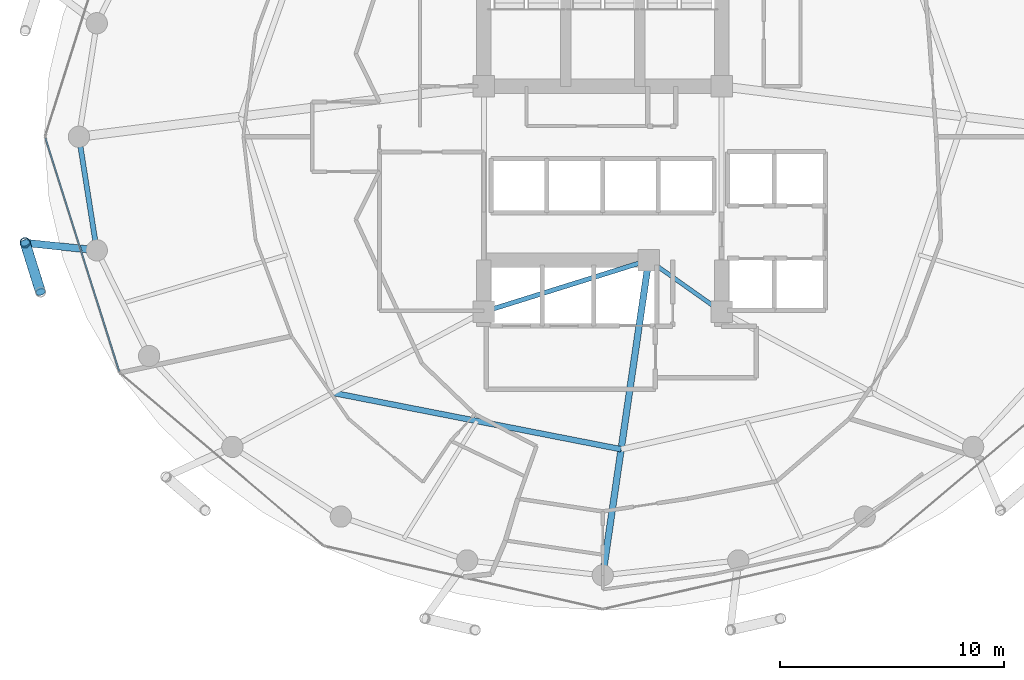
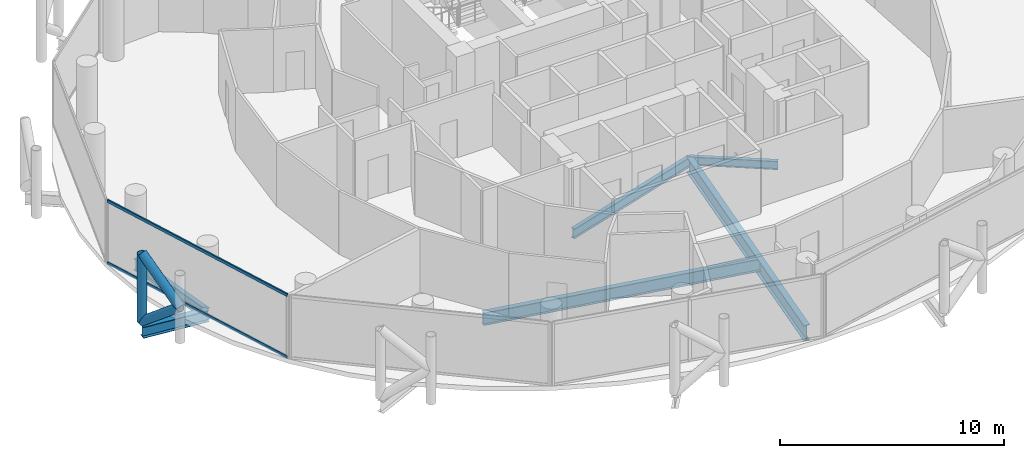
# One storey, part 5 of 26: 6 beams, 5 members, 1 element without a shape of its own.
"""IFC4 building model written with IfcOpenShell, lengths in metres."""

import ifcopenshell
import ifcopenshell.guid

model = None  # the IFC model being written
_history = None  # IfcOwnerHistory: only IFC2X3 demands one
_inside = {}  # id of a spatial element -> (the spatial element, [elements in it])
_under = {}  # id of a project, library or spatial element -> (it, [spatial elements below it])
_declared = {}  # id of a project -> (the project, [libraries it declares])
_typed = {}  # id of a type object -> (the type object, [elements of that type])
_made_of = {}  # id of a material, layer set ... -> (it, [elements and type objects made of it])


def new_model(schema):
    """Start an empty IFC model of exactly this schema.

    Asked for "IFC4X3", IfcOpenShell would pick the latest addendum, in which some entities
    have other attributes; the version numbers below select the first issue.
    IFC2X3 requires an IfcOwnerHistory on every rooted entity: one is made here for all.
    """
    global model, _history
    if schema == "IFC4X3":
        model = ifcopenshell.file(schema_version=(4, 3, 0, 0))
    else:
        model = ifcopenshell.file(schema=schema)
    _inside.clear()
    _under.clear()
    _declared.clear()
    _typed.clear()
    _made_of.clear()
    _history = None
    if model.schema == "IFC2X3":
        org = make("IfcOrganization", Name="unknown")
        user = make(
            "IfcPersonAndOrganization",
            ThePerson=make("IfcPerson", FamilyName="unknown"),
            TheOrganization=org,
        )
        app = make(
            "IfcApplication",
            ApplicationDeveloper=org,
            Version="unknown",
            ApplicationFullName="unknown",
            ApplicationIdentifier="unknown",
        )
        _history = make(
            "IfcOwnerHistory",
            OwningUser=user,
            OwningApplication=app,
            ChangeAction="ADDED",
            CreationDate=0,
        )
    return model


def make(cls, **values):
    """One entity of the class cls with the attributes given. An attribute that is None is left unset."""
    return model.create_entity(
        cls, **{name: value for name, value in values.items() if value is not None}
    )


def rooted(cls, **values):
    """An entity with a GlobalId (a new one), such as an element, a storey or a relation."""
    return make(cls, GlobalId=ifcopenshell.guid.new(), OwnerHistory=_history, **values)


def si_unit(unit_type, name, prefix=None):
    """IfcSIUnit, for example si_unit("LENGTHUNIT", "METRE", prefix="MILLI")."""
    return make("IfcSIUnit", UnitType=unit_type, Prefix=prefix, Name=name)


def assignment(units):
    """IfcUnitAssignment: the units of a project."""
    return None if units is None else make("IfcUnitAssignment", Units=units)


def point(xyz):
    """IfcCartesianPoint."""
    return None if xyz is None else make("IfcCartesianPoint", Coordinates=xyz)


def direction(xyz):
    """IfcDirection."""
    return None if xyz is None else make("IfcDirection", DirectionRatios=xyz)


def frame(location, z_axis=None, x_axis=None):
    """IfcAxis2Placement3D, a coordinate frame: its origin and axes. An axis left out is left unset."""
    return make(
        "IfcAxis2Placement3D",
        Location=point(location),
        Axis=direction(z_axis),
        RefDirection=direction(x_axis),
    )


def frame_2d(location, x_axis=None):
    """IfcAxis2Placement2D, a coordinate frame in the plane: its origin and x axis."""
    return make(
        "IfcAxis2Placement2D", Location=point(location), RefDirection=direction(x_axis)
    )


def origin():
    """The frame at (0, 0, 0) with its axes left unset."""
    return frame((0.0, 0.0, 0.0))


def origin_2d():
    """The frame at (0, 0) in the plane with its x axis left unset."""
    return frame_2d((0.0, 0.0))


def place(relative_to, where):
    """IfcLocalPlacement: puts the frame where relative to a parent placement (None: the world)."""
    return make(
        "IfcLocalPlacement", PlacementRelTo=relative_to, RelativePlacement=where
    )


def context(
    kind, dimensions, precision=None, world=None, true_north=None, identifier=None
):
    """IfcGeometricRepresentationContext, for example the 3D "Model" context."""
    return make(
        "IfcGeometricRepresentationContext",
        ContextIdentifier=identifier,
        ContextType=kind,
        CoordinateSpaceDimension=dimensions,
        Precision=precision,
        WorldCoordinateSystem=world,
        TrueNorth=true_north,
    )


def subcontext(parent, identifier, kind, view, scale=None):
    """IfcGeometricRepresentationSubContext, for example "Body" below "Model"."""
    return make(
        "IfcGeometricRepresentationSubContext",
        ContextIdentifier=identifier,
        ContextType=kind,
        ParentContext=parent,
        TargetScale=scale,
        TargetView=view,
    )


def project(units=None, contexts=None):
    """IfcProject with its units and contexts."""
    return rooted(
        "IfcProject",
        Name="project",
        RepresentationContexts=contexts,
        UnitsInContext=assignment(units),
    )


def spatial(cls, under=None, at=None, **own):
    """A site, building, storey or space (cls), placed at a placement, below another one or the project."""
    s = rooted(cls, ObjectPlacement=at, **own)
    if under is not None:
        _under.setdefault(under.id(), (under, []))[1].append(s)
    return s


def profile(cls, at=None, kind="AREA", **sizes):
    """A parametric profile (cls). Its sizes go by their IFC names, for example OverallWidth=200.0."""
    return make(cls, ProfileType=kind, Position=at, **sizes)


def hollow_rectangle(**sizes):
    """IfcRectangleHollowProfileDef."""
    return profile("IfcRectangleHollowProfileDef", **sizes)


def hollow_circle(**sizes):
    """IfcCircleHollowProfileDef."""
    return profile("IfcCircleHollowProfileDef", **sizes)


def i_section(**sizes):
    """IfcIShapeProfileDef."""
    return profile("IfcIShapeProfileDef", **sizes)


def extrude(swept, where, along, depth):
    """IfcExtrudedAreaSolid: the profile swept, set in the frame where, extruded along a direction by depth."""
    return make(
        "IfcExtrudedAreaSolid",
        SweptArea=swept,
        Position=where,
        ExtrudedDirection=direction(along),
        Depth=depth,
    )


def shape(context_of_items, identifier, shape_type, items):
    """IfcShapeRepresentation: the items that make up one representation, for example the "Body"."""
    return make(
        "IfcShapeRepresentation",
        ContextOfItems=context_of_items,
        RepresentationIdentifier=identifier,
        RepresentationType=shape_type,
        Items=items,
    )


def material(Name=None, Category=None):
    """IfcMaterial."""
    return make("IfcMaterial", Name=Name, Category=Category)


def layer(
    of_material, thickness, ventilated=None, Name=None, Category=None, Priority=None
):
    """IfcMaterialLayer: one layer of a wall or slab, of a material (None: an air gap)."""
    return make(
        "IfcMaterialLayer",
        Material=of_material,
        LayerThickness=thickness,
        IsVentilated=ventilated,
        Name=Name,
        Category=Category,
        Priority=Priority,
    )


def layer_set(layers, Name=None):
    """IfcMaterialLayerSet."""
    return make("IfcMaterialLayerSet", MaterialLayers=layers, LayerSetName=Name)


def material_profile(
    of_material, cross_section, Name=None, Category=None, Priority=None
):
    """IfcMaterialProfile: a cross section and its material."""
    return make(
        "IfcMaterialProfile",
        Name=Name,
        Material=of_material,
        Profile=cross_section,
        Priority=Priority,
        Category=Category,
    )


def profile_set(profiles, Name=None, composite=None):
    """IfcMaterialProfileSet."""
    return make(
        "IfcMaterialProfileSet",
        Name=Name,
        MaterialProfiles=profiles,
        CompositeProfile=composite,
    )


def made_of(thing, what):
    """Note that an element or type object is made of a material, layer set ...; save() writes the relation."""
    if what is not None:
        _made_of.setdefault(what.id(), (what, []))[1].append(thing)
    return thing


def type_object(cls, material=None, **own):
    """A type object (cls), such as IfcWallType, which elements share."""
    return made_of(rooted(cls, **own), material)


def element(
    cls,
    number,
    at=None,
    inside=None,
    cuts=None,
    type_object=None,
    material=None,
    context=None,
    identifier="Body",
    shape_type=None,
    held_by="IfcProductDefinitionShape",
    body=None,
    shapes=None,
    **own,
):
    """One element of the class cls, such as IfcWall. Its Tag is "e" and its number.

    at: its placement. inside: the storey or other place that contains it. cuts: it is an
    opening in that element (IfcRelVoidsElement). A single representation is given by context,
    identifier, shape_type and body (its items); several are given by shapes. held_by: the class
    of the entity that holds the representations. save() writes the other relations.
    """
    e = rooted(cls, Tag="e%d" % number, ObjectPlacement=at, **own)
    if body is not None:
        shapes = [shape(context, identifier, shape_type, body)]
    if shapes is not None:
        e.Representation = make(held_by, Representations=shapes)
    if inside is not None:
        _inside.setdefault(inside.id(), (inside, []))[1].append(e)
    if cuts is not None:
        rooted(
            "IfcRelVoidsElement", RelatingBuildingElement=cuts, RelatedOpeningElement=e
        )
    if type_object is not None:
        _typed.setdefault(type_object.id(), (type_object, []))[1].append(e)
    return made_of(e, material)


def aggregate(whole, parts):
    """IfcRelAggregates: a whole, such as a stair, and the parts it consists of."""
    return rooted("IfcRelAggregates", RelatingObject=whole, RelatedObjects=parts)


def save(model, path):
    """Write the relations noted so far, then the file.

    IfcRelAggregates (storeys below a building ...), IfcRelContainedInSpatialStructure (elements
    in a storey), IfcRelDefinesByType, IfcRelAssociatesMaterial and IfcRelDeclares: one each for
    every whole, place, type object, material and project.
    """
    for whole, parts in _under.values():
        aggregate(whole, parts)
    for where, things in _inside.values():
        rooted(
            "IfcRelContainedInSpatialStructure",
            RelatedElements=things,
            RelatingStructure=where,
        )
    for kind, things in _typed.values():
        rooted("IfcRelDefinesByType", RelatedObjects=things, RelatingType=kind)
    for what, things in _made_of.values():
        rooted("IfcRelAssociatesMaterial", RelatedObjects=things, RelatingMaterial=what)
    for by, libraries in _declared.values():
        rooted("IfcRelDeclares", RelatingContext=by, RelatedDefinitions=libraries)
    model.write(path)


model = new_model("IFC4")

# Units and contexts
model_context = context("Model", 3, precision=1e-05, world=origin(), true_north=direction((0.0, 1.0)))
body_context = subcontext(model_context, "Body", "Model", "MODEL_VIEW")
ifc_project = project(units=[si_unit("LENGTHUNIT", "METRE"), si_unit("AREAUNIT", "SQUARE_METRE"), si_unit("VOLUMEUNIT", "CUBIC_METRE"), si_unit("PLANEANGLEUNIT", "RADIAN"), si_unit("MASSUNIT", "GRAM", prefix="KILO")], contexts=[model_context])

# Site, building, storey
site_placement = place(None, origin())
site = spatial("IfcSite", under=ifc_project, at=site_placement, CompositionType="ELEMENT")
building_placement = place(site_placement, origin())
building = spatial("IfcBuilding", under=site, at=building_placement, Name="Nuhasar Tower", CompositionType="ELEMENT")
storey_placement = place(building_placement, frame((0.0, 0.0, 188.550048828125)))
storey = spatial("IfcBuildingStorey", under=building, at=storey_placement, Name="L46", CompositionType="ELEMENT", Elevation=188.550048828125)

# Beams
ifc_material_1 = material(Name="Steel S355", Category="steel")
ifc_material_profile_1 = material_profile(ifc_material_1, i_section(OverallWidth=0.25390625, OverallDepth=0.68408203125, WebThickness=0.012451171875, FlangeThickness=0.018798828125, at=origin_2d()), Name="W27X94")
ifc_profile_set_1 = profile_set([ifc_material_profile_1], Name="Steel S355")
beam_type_1 = type_object("IfcBeamType", Name="BM-INRING-W27X94", PredefinedType="BEAM", material=ifc_profile_set_1)
beam_1_placement = place(storey_placement, frame((26.972900390625, 15.385986328125, -0.592041015625), z_axis=(0.981359637088, -0.192180286956, 0.0), x_axis=(0.192180286956, 0.981359637088, 0.0)))
element("IfcBeam", 1, at=beam_1_placement, inside=storey, type_object=beam_type_1, Name="L46 Inner Header Beam 01", PredefinedType="BEAM", context=body_context, shape_type="SweptSolid", body=[
    extrude(i_section(OverallWidth=0.25390625, OverallDepth=0.68408203125, WebThickness=0.012451171875, FlangeThickness=0.018798828125, at=origin_2d()), origin(), (0.0, 0.0, 1.0), 13.09130859375),
])
ifc_material_profile_2 = material_profile(ifc_material_1, i_section(OverallWidth=0.2919921875, OverallDepth=0.85888671875, WebThickness=0.01708984375, FlangeThickness=0.031005859375, at=origin_2d()), Name="W33X169")
ifc_profile_set_2 = profile_set([ifc_material_profile_2], Name="Steel S355")
beam_type_2 = type_object("IfcBeamType", Name="BM-POD-W33X169", PredefinedType="BEAM", material=ifc_profile_set_2)
beam_2_placement = place(storey_placement, frame((41.050048828125, 21.300048828125, -0.678955078125), z_axis=(-0.144381604017, -0.989522082837, 0.0), x_axis=(0.989522082837, -0.144381604017, 0.0)))
element("IfcBeam", 2, at=beam_2_placement, inside=storey, type_object=beam_type_2, Name="L46 Radial Floor Girder 02", PredefinedType="BEAM", context=body_context, shape_type="SweptSolid", body=[
    extrude(i_section(OverallWidth=0.2919921875, OverallDepth=0.85888671875, WebThickness=0.01708984375, FlangeThickness=0.031005859375, at=origin_2d()), origin(), (0.0, 0.0, 1.0), 14.19873046875),
])
ifc_material_profile_3 = material_profile(ifc_material_1, i_section(OverallWidth=0.18994140625, OverallDepth=0.45703125, WebThickness=0.009033203125, FlangeThickness=0.014404296875, at=origin_2d()), Name="W18X50")
ifc_profile_set_3 = profile_set([ifc_material_profile_3], Name="Steel S355")
beam_type_3 = type_object("IfcBeamType", Name="BM-RAD-W18X50", PredefinedType="BEAM", material=ifc_profile_set_3)
beam_3_placement = place(storey_placement, frame((41.050048828125, 21.300048828125, -0.47802734375), z_axis=(0.816265428953, -0.577677028708, 0.0), x_axis=(0.577677028708, 0.816265428953, 0.0)))
element("IfcBeam", 3, at=beam_3_placement, inside=storey, type_object=beam_type_3, Name="L46 Core Ring Girder 2", PredefinedType="BEAM", context=body_context, shape_type="SweptSolid", body=[
    extrude(i_section(OverallWidth=0.18994140625, OverallDepth=0.45703125, WebThickness=0.009033203125, FlangeThickness=0.014404296875, at=origin_2d()), origin(), (0.0, 0.0, 1.0), 3.9814453125),
])
ifc_material_profile_4 = material_profile(ifc_material_1, i_section(OverallWidth=0.208984375, OverallDepth=0.532958984375, WebThickness=0.01025390625, FlangeThickness=0.015625, at=origin_2d()), Name="W21X62")
ifc_profile_set_4 = profile_set([ifc_material_profile_4], Name="Steel S355")
beam_type_4 = type_object("IfcBeamType", Name="BM-RAD-W21X62", PredefinedType="BEAM", material=ifc_profile_set_4)
beam_4_placement = place(storey_placement, frame((33.699951171875, 19.0, -0.51611328125), z_axis=(0.954363709454, 0.298646798205, 0.0), x_axis=(-0.298646798205, 0.954363709454, 0.0)))
element("IfcBeam", 4, at=beam_4_placement, inside=storey, type_object=beam_type_4, Name="L46 Core Ring Girder 1", PredefinedType="BEAM", context=body_context, shape_type="SweptSolid", body=[
    extrude(i_section(OverallWidth=0.208984375, OverallDepth=0.532958984375, WebThickness=0.01025390625, FlangeThickness=0.015625, at=origin_2d()), origin(), (0.0, 0.0, 1.0), 7.70166015625),
])
ifc_material_profile_5 = material_profile(ifc_material_1, i_section(OverallWidth=0.22998046875, OverallDepth=0.616943359375, WebThickness=0.01318359375, FlangeThickness=0.022216796875, at=origin_2d()), Name="W24X94")
ifc_profile_set_5 = profile_set([ifc_material_profile_5], Name="Steel S355")
beam_type_5 = type_object("IfcBeamType", Name="BM-RING-W24X94", PredefinedType="SPANDREL", material=ifc_profile_set_5)
beam_5_placement = place(storey_placement, frame((15.64990234375, 26.800048828125, -0.55810546875), z_axis=(0.155426543608, -0.987847452566, 0.0), x_axis=(0.987847452566, 0.155426543608, 0.0)))
element("IfcBeam", 5, at=beam_5_placement, inside=storey, type_object=beam_type_5, Name="L46 Perimeter Ring Spandrel 13", PredefinedType="SPANDREL", context=body_context, shape_type="SweptSolid", body=[
    extrude(i_section(OverallWidth=0.22998046875, OverallDepth=0.616943359375, WebThickness=0.01318359375, FlangeThickness=0.022216796875, at=origin_2d()), origin(), (0.0, 0.0, 1.0), 5.122314453125),
])
ifc_material_profile_6 = material_profile(ifc_material_1, i_section(OverallWidth=0.323974609375, OverallDepth=0.611083984375, WebThickness=0.0126953125, FlangeThickness=0.01904296875, at=origin_2d()), Name="W24X104")
ifc_profile_set_6 = profile_set([ifc_material_profile_6], Name="Steel S355")
beam_type_6 = type_object("IfcBeamType", Name="BM-TIE-W24X104", PredefinedType="BEAM", material=ifc_profile_set_6)
beam_6_placement = place(storey_placement, frame((16.446044921875, 21.739990234375, -0.554931640625), z_axis=(-0.994577694483, 0.103996200111, 0.0), x_axis=(-0.103996200111, -0.994577694483, 0.0)))
element("IfcBeam", 6, at=beam_6_placement, inside=storey, type_object=beam_type_6, Name="L46 Exoskeleton Node Tie Beam 07", PredefinedType="BEAM", context=body_context, shape_type="SweptSolid", body=[
    extrude(i_section(OverallWidth=0.323974609375, OverallDepth=0.611083984375, WebThickness=0.0126953125, FlangeThickness=0.01904296875, at=origin_2d()), origin(), (0.0, 0.0, 1.0), 3.21142578125),
])

# Curtain wall, members
ifc_material_2 = material(Name="Aluminium 6063-T6", Category="aluminium")
ifc_layer = layer(ifc_material_2, 0.199951171875)
ifc_layer_set = layer_set([ifc_layer], Name="Aluminium 6063-T6")
curtain_wall_type = type_object("IfcCurtainWallType", Name="CW-Z2-HTL", PredefinedType="NOTDEFINED", material=ifc_layer_set)
curtain_wall_placement = place(storey_placement, origin())
curtain_wall = element("IfcCurtainWall", 7, at=curtain_wall_placement, inside=storey, type_object=curtain_wall_type, Name="L46 Unitised Curtain Wall 07", PredefinedType="NOTDEFINED")
ifc_material_profile_7 = material_profile(ifc_material_2, hollow_rectangle(XDim=0.070068359375, YDim=0.159912109375, WallThickness=0.00439453125, at=origin_2d()), Name="CWT-3")
ifc_profile_set_7 = profile_set([ifc_material_profile_7], Name="Aluminium 6063-T6")
member_type_1 = type_object("IfcMemberType", Name="CW-TRN-S3", PredefinedType="USERDEFINED", material=ifc_profile_set_7)
member_1_placement = place(storey_placement, frame((14.1611328125, 26.733154296875, 0.034912109375), z_axis=(0.301608163352, -0.953431967053, 0.0), x_axis=(0.953431967053, 0.301608163352, 0.0)))
member_1 = element("IfcMember", 8, at=member_1_placement, type_object=member_type_1, Name="CW-Z2 transom 1.1", ObjectType="TRANSOM", PredefinedType="USERDEFINED", context=body_context, shape_type="SweptSolid", body=[
    extrude(hollow_rectangle(XDim=0.070068359375, YDim=0.159912109375, WallThickness=0.00439453125, at=origin_2d()), origin(), (0.0, 0.0, 1.0), 10.904296875),
])
member_2_placement = place(storey_placement, frame((14.1611328125, 26.733154296875, 3.4150390625), z_axis=(0.301608163352, -0.953431967053, 0.0), x_axis=(0.953431967053, 0.301608163352, 0.0)))
member_2 = element("IfcMember", 9, at=member_2_placement, type_object=member_type_1, Name="CW-Z2 transom 1.2", ObjectType="TRANSOM", PredefinedType="USERDEFINED", context=body_context, shape_type="SweptSolid", body=[
    extrude(hollow_rectangle(XDim=0.070068359375, YDim=0.159912109375, WallThickness=0.00439453125, at=origin_2d()), origin(), (0.0, 0.0, 1.0), 10.904296875),
])
aggregate(curtain_wall, [member_1, member_2])

# Members
ifc_material_3 = material(Name="Steel S460", Category="steel")
ifc_material_profile_8 = material_profile(ifc_material_3, hollow_circle(Radius=0.228515625, WallThickness=0.022216796875, at=origin_2d()), Name="HSS457X22.2")
ifc_profile_set_8 = profile_set([ifc_material_profile_8], Name="Steel S460")
member_type_2 = type_object("IfcMemberType", Name="EXO-BRONZE-457", PredefinedType="BRACE", material=ifc_profile_set_8)
member_3_placement = place(storey_placement, frame((13.251953125, 22.073974609375, 0.0), z_axis=(0.0, 0.0, 1.0), x_axis=(1.0, 0.0, 0.0)))
element("IfcMember", 10, at=member_3_placement, inside=storey, type_object=member_type_2, Name="L46 Exoskeleton Chord Column EC-07A", PredefinedType="BRACE", context=body_context, shape_type="SweptSolid", body=[
    extrude(hollow_circle(Radius=0.228515625, WallThickness=0.022216796875, at=origin_2d()), origin(), (0.0, 0.0, 1.0), 3.699951171875),
])
member_4_placement = place(storey_placement, frame((13.251953125, 22.073974609375, 0.0), z_axis=(0.233067628236, -0.74361641074, 0.626669062861), x_axis=(0.954228474306, 0.29907861646, 0.0)))
element("IfcMember", 11, at=member_4_placement, inside=storey, type_object=member_type_2, Name="L46 Bronze Diagrid Brace W1-07", PredefinedType="BRACE", context=body_context, shape_type="SweptSolid", body=[
    extrude(hollow_circle(Radius=0.228515625, WallThickness=0.022216796875, at=origin_2d()), origin(), (0.0, 0.0, 1.0), 2.951904296875),
])
member_5_placement = place(storey_placement, frame((13.93994140625, 19.87890625, 1.849853515625), z_axis=(-0.233055548538, 0.743577869731, 0.626719285599), x_axis=(-0.954228474306, -0.29907861646, 0.0)))
element("IfcMember", 12, at=member_5_placement, inside=storey, type_object=member_type_2, Name="L46 Bronze Diagrid Brace W2-07", PredefinedType="BRACE", context=body_context, shape_type="SweptSolid", body=[
    extrude(hollow_circle(Radius=0.228515625, WallThickness=0.022216796875, at=origin_2d()), origin(), (0.0, 0.0, 1.0), 2.9521484375),
])

save(model, "model.ifc")
